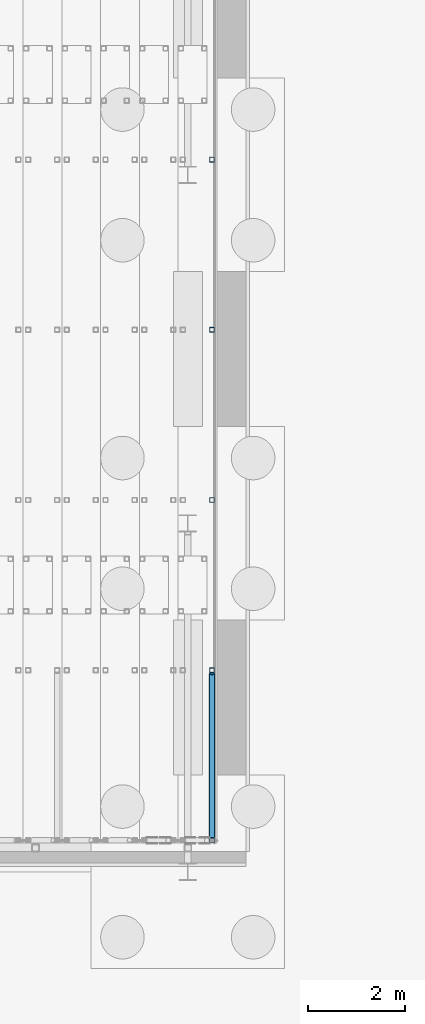
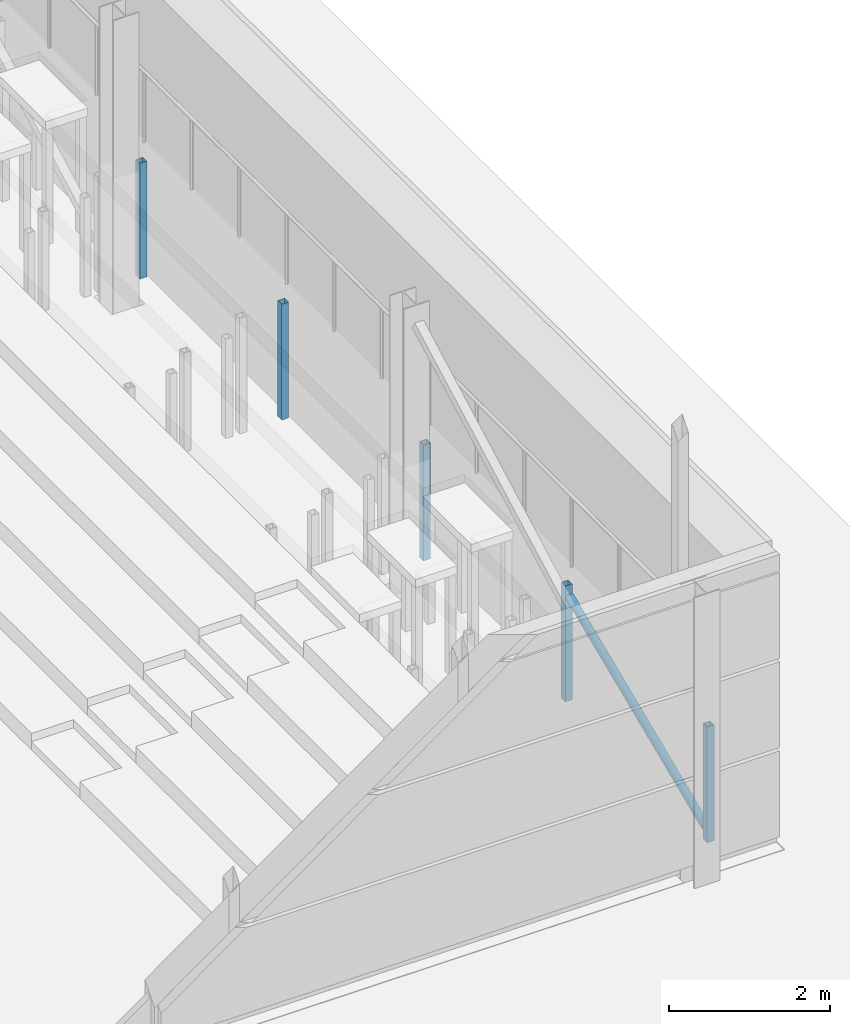
# One storey, part 55 of 139: 6 members.
"""IFC4 building model written with IfcOpenShell, lengths in metres."""

from ifc_helpers import new_model, si_unit, direction, frame, origin, origin_2d, place, context, subcontext, project, spatial, hollow_rectangle, hollow_circle, extrude, material, material_profile, profile_set, type_object, element, save


model = new_model("IFC4")

# Units and contexts
model_context = context("Model", 3, precision=1e-05, world=origin(), true_north=direction((0.0, 1.0)))
body_context = subcontext(model_context, "Body", "Model", "MODEL_VIEW")
ifc_project = project(units=[si_unit("LENGTHUNIT", "METRE"), si_unit("AREAUNIT", "SQUARE_METRE"), si_unit("VOLUMEUNIT", "CUBIC_METRE"), si_unit("PLANEANGLEUNIT", "RADIAN"), si_unit("MASSUNIT", "GRAM", prefix="KILO")], contexts=[model_context])

# Site, building, storey
site_placement = place(None, origin())
site = spatial("IfcSite", under=ifc_project, at=site_placement, CompositionType="ELEMENT")
building_placement = place(site_placement, origin())
building = spatial("IfcBuilding", under=site, at=building_placement, Name="Verrick Yard Athletic Hall", CompositionType="ELEMENT")
storey_placement = place(building_placement, origin())
storey = spatial("IfcBuildingStorey", under=building, at=storey_placement, Name="L00", CompositionType="ELEMENT", Elevation=0.0)

# Members
ifc_material = material(Name="Structural steel HSS Class C 350W (CSA G40.20/G40.21)", Category="steel")
ifc_material_profile_1 = material_profile(ifc_material, hollow_circle(Radius=0.05712890625, WallThickness=0.00634765625, at=origin_2d()), Name="HSS114x6.4")
ifc_profile_set_1 = profile_set([ifc_material_profile_1], Name="Structural steel HSS Class C 350W (CSA G40.20/G40.21)")
member_type_1 = type_object("IfcMemberType", Name="HB roof brace HSS114x6.4", PredefinedType="BRACE", material=ifc_profile_set_1)
member_placement = place(storey_placement, frame((170.10009765625, 72.723876953125, 0.159423828125), z_axis=(0.0, 0.92044369524, 0.390875176869), x_axis=(-1.0, 0.0, 0.0)))
element("IfcMember", 1, at=member_placement, inside=storey, type_object=member_type_1, Name="HB-BRL-RSA2-a8", PredefinedType="BRACE", context=body_context, shape_type="SweptSolid", body=[
    extrude(hollow_circle(Radius=0.05712890625, WallThickness=0.00634765625, at=origin_2d()), origin(), (0.0, 0.0, 1.0), 3.661376953125),
])
ifc_material_profile_2 = material_profile(ifc_material, hollow_rectangle(XDim=0.1015625, YDim=0.1015625, WallThickness=0.00634765625, at=origin_2d()), Name="HSS102x102x6.4")
ifc_profile_set_2 = profile_set([ifc_material_profile_2], Name="Structural steel HSS Class C 350W (CSA G40.20/G40.21)")
member_type_2 = type_object("IfcMemberType", Name="HB seating post HSS102x102x6.4", PredefinedType="POST", material=ifc_profile_set_2)
for number, where, z_axis, x_axis, name in (
    (2, (170.10009765625, 72.65087890625, 0.0), (0.0, 0.0, 1.0), (0.0, 1.0, 0.0), "HB-SP-RSA2-T8b1"),
    (3, (170.10009765625, 76.167236328125, 0.0), (0.0, 0.0, 1.0), (0.0, 1.0, 0.0), "HB-SP-RSA2-T8b2"),
    (4, (170.10009765625, 79.68359375, 0.0), (0.0, 0.0, 1.0), (0.0, 1.0, 0.0), "HB-SP-RSA2-T8b3"),
    (5, (170.10009765625, 83.199951171875, 0.0), (0.0, 0.0, 1.0), (0.0, 1.0, 0.0), "HB-SP-RSA2-T8b4"),
    (6, (170.10009765625, 86.71630859375, 0.0), (0.0, 0.0, 1.0), (0.0, 1.0, 0.0), "HB-SP-RSA2-T8b5"),
):
    element("IfcMember", number, at=place(storey_placement, frame(where, z_axis=z_axis, x_axis=x_axis)), inside=storey, type_object=member_type_2, Name=name, PredefinedType="POST", context=body_context, shape_type="SweptSolid", body=[
        extrude(hollow_rectangle(XDim=0.1015625, YDim=0.1015625, WallThickness=0.00634765625, at=origin_2d()), origin(), (0.0, 0.0, 1.0), 1.75),
    ])

save(model, "model.ifc")
